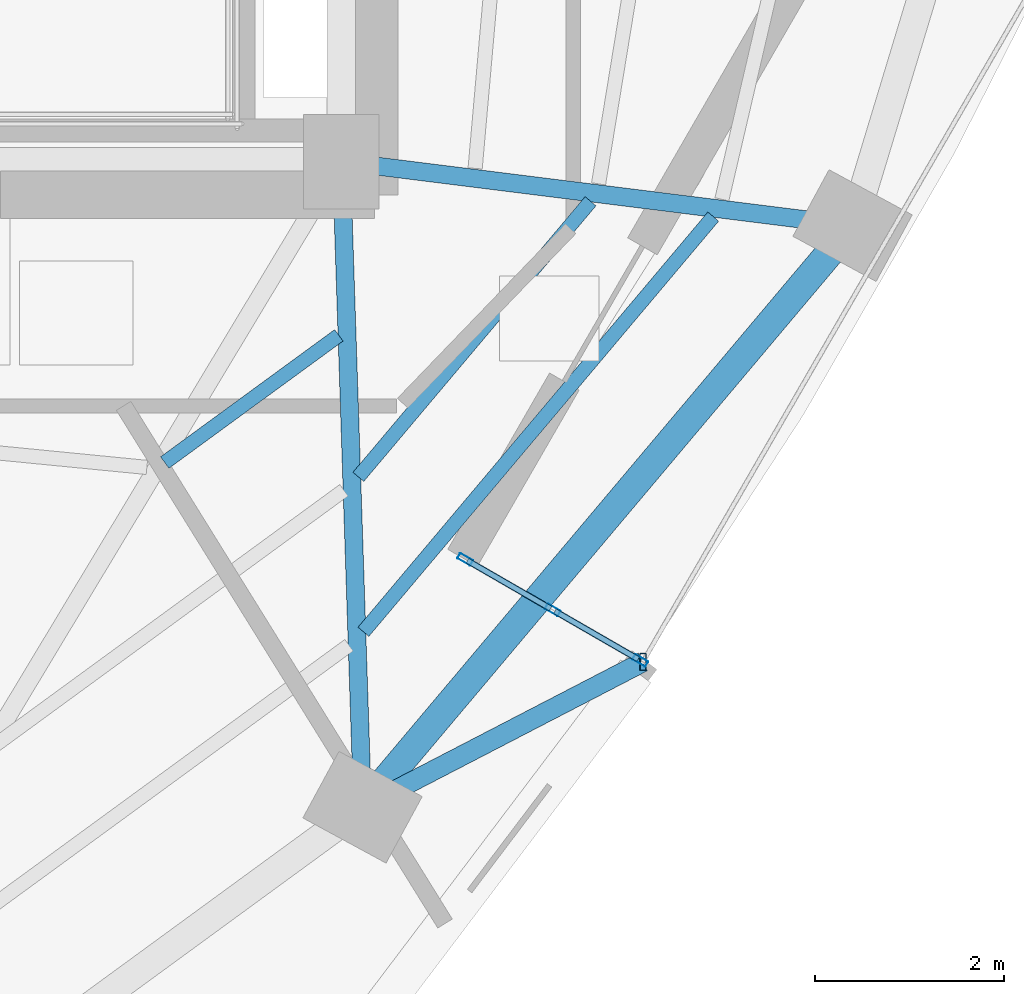
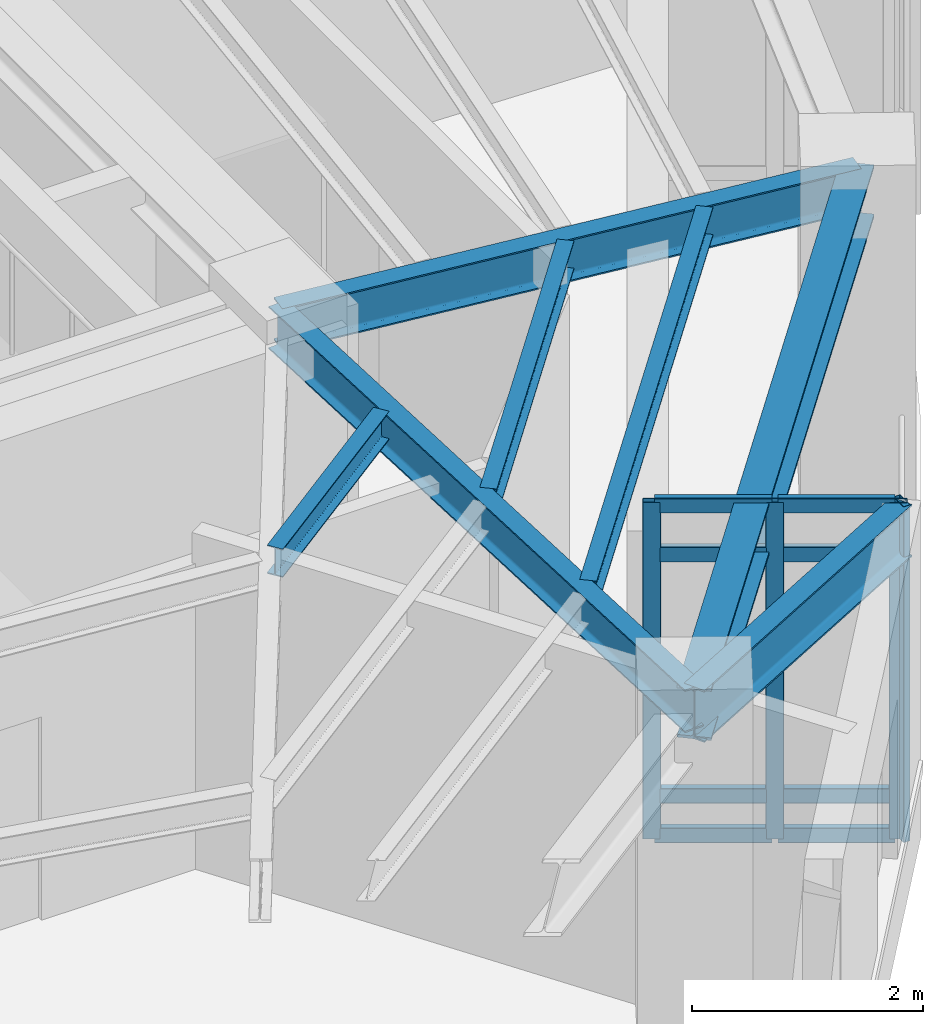
# One storey, part 2 of 12: 12 members, 7 beams, 1 element without a shape of its own.
"""IFC4 building model written with IfcOpenShell, lengths in metres."""

from ifc_helpers import new_model, si_unit, direction, frame, origin, origin_2d, place, context, subcontext, project, spatial, hollow_rectangle, i_section, extrude, material, layer, layer_set, material_profile, profile_set, type_object, element, aggregate, save


model = new_model("IFC4")

# Units and contexts
model_context = context("Model", 3, precision=1e-05, world=origin(), true_north=direction((0.0, 1.0)))
body_context = subcontext(model_context, "Body", "Model", "MODEL_VIEW")
ifc_project = project(units=[si_unit("LENGTHUNIT", "METRE"), si_unit("AREAUNIT", "SQUARE_METRE"), si_unit("VOLUMEUNIT", "CUBIC_METRE"), si_unit("PLANEANGLEUNIT", "RADIAN"), si_unit("MASSUNIT", "GRAM", prefix="KILO")], contexts=[model_context])

# Site, building, storey
site_placement = place(None, origin())
site = spatial("IfcSite", under=ifc_project, at=site_placement, CompositionType="ELEMENT")
building_placement = place(site_placement, origin())
building = spatial("IfcBuilding", under=site, at=building_placement, Name="Ndelora Gate Hotel", CompositionType="ELEMENT")
storey_placement = place(building_placement, frame((0.0, 0.0, 209.35009765625)))
storey = spatial("IfcBuildingStorey", under=building, at=storey_placement, Name="L52", CompositionType="ELEMENT", Elevation=209.35009765625)

# Beams
ifc_material_1 = material(Name="Steel S355", Category="steel")
ifc_material_profile_1 = material_profile(ifc_material_1, i_section(OverallWidth=0.14990234375, OverallDepth=0.300048828125, WebThickness=0.007080078125, FlangeThickness=0.0107421875, FilletRadius=0.014892578125, at=origin_2d()), Name="IPE 300")
ifc_profile_set_1 = profile_set([ifc_material_profile_1], Name="Steel S355")
beam_type_1 = type_object("IfcBeamType", Name="BM-JST-300", PredefinedType="JOIST", material=ifc_profile_set_1)
beam_1_placement = place(storey_placement, frame((6.134521484375, -9.77880859375, 3.39990234375), z_axis=(0.80739897839, 0.590005838696, 0.0), x_axis=(-0.590005838696, 0.80739897839, 0.0)))
element("IfcBeam", 1, at=beam_1_placement, inside=storey, type_object=beam_type_1, Name="L52 Secondary Composite Floor Joist IN-5", PredefinedType="JOIST", context=body_context, shape_type="SweptSolid", body=[
    extrude(i_section(OverallWidth=0.14990234375, OverallDepth=0.300048828125, WebThickness=0.007080078125, FlangeThickness=0.0107421875, FilletRadius=0.014892578125, at=origin_2d()), origin(), (0.0, 0.0, 1.0), 2.277587890625),
])
beam_2_placement = place(storey_placement, frame((8.1796875, -9.9296875, 3.39990234375), z_axis=(0.644319387893, 0.764756514444, 0.0), x_axis=(-0.764756514444, 0.644319387893, 0.0)))
element("IfcBeam", 2, at=beam_2_placement, inside=storey, type_object=beam_type_1, Name="L52 Secondary Composite Floor Joist MID-6", PredefinedType="JOIST", context=body_context, shape_type="SweptSolid", body=[
    extrude(i_section(OverallWidth=0.14990234375, OverallDepth=0.300048828125, WebThickness=0.007080078125, FlangeThickness=0.0107421875, FilletRadius=0.014892578125, at=origin_2d()), origin(), (0.0, 0.0, 1.0), 3.806884765625),
])
beam_3_placement = place(storey_placement, frame((8.2333984375, -11.56640625, 3.39990234375), z_axis=(0.644324492463, 0.764752213735, 0.0), x_axis=(-0.764752213735, 0.644324492463, 0.0)))
element("IfcBeam", 3, at=beam_3_placement, inside=storey, type_object=beam_type_1, Name="L52 Secondary Composite Floor Joist OUT-6", PredefinedType="JOIST", context=body_context, shape_type="SweptSolid", body=[
    extrude(i_section(OverallWidth=0.14990234375, OverallDepth=0.300048828125, WebThickness=0.007080078125, FlangeThickness=0.0107421875, FilletRadius=0.014892578125, at=origin_2d()), origin(), (0.0, 0.0, 1.0), 5.735107421875),
])
ifc_material_profile_2 = material_profile(ifc_material_1, i_section(OverallWidth=0.18994140625, OverallDepth=0.449951171875, WebThickness=0.009521484375, FlangeThickness=0.0146484375, FilletRadius=0.02099609375, at=origin_2d()), Name="IPE 450")
ifc_profile_set_2 = profile_set([ifc_material_profile_2], Name="Steel S355")
beam_type_2 = type_object("IfcBeamType", Name="BM-RAD-450", PredefinedType="BEAM", material=ifc_profile_set_2)
beam_4_placement = place(storey_placement, frame((8.0, -6.60009765625, 3.324951171875), z_axis=(0.032809705109, -0.999461616697, 0.0), x_axis=(0.999461616697, 0.032809705109, 0.0)))
element("IfcBeam", 4, at=beam_4_placement, inside=storey, type_object=beam_type_2, Name="L52 Radial Floor Girder 6", PredefinedType="BEAM", context=body_context, shape_type="SweptSolid", body=[
    extrude(i_section(OverallWidth=0.18994140625, OverallDepth=0.449951171875, WebThickness=0.009521484375, FlangeThickness=0.0146484375, FilletRadius=0.02099609375, at=origin_2d()), origin(), (0.0, 0.0, 1.0), 6.823486328125),
])
beam_5_placement = place(storey_placement, frame((8.0, -6.60009765625, 3.324951171875), z_axis=(0.992266830725, -0.124123070552, 0.0), x_axis=(0.124123070552, 0.992266830725, 0.0)))
element("IfcBeam", 5, at=beam_5_placement, inside=storey, type_object=beam_type_2, Name="L52 Radial Floor Girder 7", PredefinedType="BEAM", context=body_context, shape_type="SweptSolid", body=[
    extrude(i_section(OverallWidth=0.18994140625, OverallDepth=0.449951171875, WebThickness=0.009521484375, FlangeThickness=0.0146484375, FilletRadius=0.02099609375, at=origin_2d()), origin(), (0.0, 0.0, 1.0), 5.4423828125),
])
ifc_material_profile_3 = material_profile(ifc_material_1, i_section(OverallWidth=0.2099609375, OverallDepth=0.550048828125, WebThickness=0.010986328125, FlangeThickness=0.01708984375, FilletRadius=0.02392578125, at=origin_2d()), Name="IPE 550")
ifc_profile_set_3 = profile_set([ifc_material_profile_3], Name="Steel S355")
beam_type_3 = type_object("IfcBeamType", Name="BM-RAD-550", PredefinedType="BEAM", material=ifc_profile_set_3)
beam_6_placement = place(storey_placement, frame((8.223876953125, -13.419921875, 3.27490234375), z_axis=(0.88789405856, 0.4600479766, 0.0), x_axis=(-0.4600479766, 0.88789405856, 0.0)))
element("IfcBeam", 6, at=beam_6_placement, inside=storey, type_object=beam_type_3, Name="L52 Sky-Garden Loggia Column Bracket 1", PredefinedType="BEAM", context=body_context, shape_type="SweptSolid", body=[
    extrude(i_section(OverallWidth=0.2099609375, OverallDepth=0.550048828125, WebThickness=0.010986328125, FlangeThickness=0.01708984375, FilletRadius=0.02392578125, at=origin_2d()), origin(), (0.0, 0.0, 1.0), 3.3359375),
])
ifc_material_profile_4 = material_profile(ifc_material_1, i_section(OverallWidth=0.300048828125, OverallDepth=0.550048828125, WebThickness=0.014892578125, FlangeThickness=0.029052734375, FilletRadius=0.027099609375, at=origin_2d()), Name="HEB 550")
ifc_profile_set_4 = profile_set([ifc_material_profile_4], Name="Steel S355")
beam_type_4 = type_object("IfcBeamType", Name="BM-RING-550", PredefinedType="SPANDREL", material=ifc_profile_set_4)
beam_7_placement = place(storey_placement, frame((8.223876953125, -13.419921875, 3.27490234375), z_axis=(0.644308845181, 0.764765396721, 0.0), x_axis=(-0.764765396721, 0.644308845181, 0.0)))
element("IfcBeam", 7, at=beam_7_placement, inside=storey, type_object=beam_type_4, Name="L52 Perimeter Spandrel Girder 6", PredefinedType="SPANDREL", context=body_context, shape_type="SweptSolid", body=[
    extrude(i_section(OverallWidth=0.300048828125, OverallDepth=0.550048828125, WebThickness=0.014892578125, FlangeThickness=0.029052734375, FilletRadius=0.027099609375, at=origin_2d()), origin(), (0.0, 0.0, 1.0), 8.0341796875),
])

# Curtain wall, members
ifc_material_2 = material(Name="Bronze Anodised Unitised Aluminium and Low-E Glass", Category="aluminium")
ifc_layer = layer(ifc_material_2, 0.199951171875)
ifc_layer_set = layer_set([ifc_layer], Name="Bronze Anodised Unitised Aluminium and Low-E Glass")
curtain_wall_type = type_object("IfcCurtainWallType", Name="CW-SYS-3", PredefinedType="NOTDEFINED", material=ifc_layer_set)
curtain_wall_placement = place(storey_placement, origin())
curtain_wall = element("IfcCurtainWall", 8, at=curtain_wall_placement, inside=storey, type_object=curtain_wall_type, Name="L52 Sky-Garden Loggia Side Curtain Wall CW3-1", PredefinedType="NOTDEFINED")
ifc_material_3 = material(Name="Bronze Anodised Aluminium 6063-T6", Category="aluminium")
ifc_material_profile_5 = material_profile(ifc_material_3, hollow_rectangle(XDim=0.06494140625, YDim=0.159912109375, WallThickness=0.00390625, InnerFilletRadius=0.00390625, OuterFilletRadius=0.008056640625, at=origin_2d()), Name="ALU 160x65x4")
ifc_profile_set_5 = profile_set([ifc_material_profile_5], Name="Bronze Anodised Aluminium 6063-T6")
member_type_1 = type_object("IfcMemberType", Name="MB-CW-MUL150", PredefinedType="MULLION", material=ifc_profile_set_5)
member_1_placement = place(storey_placement, frame((9.308837890625, -10.801513671875, -0.004150390625), z_axis=(0.0, 0.0, 1.0), x_axis=(0.499991317892, 0.866030416344, 0.0)))
member_1 = element("IfcMember", 9, at=member_1_placement, type_object=member_type_1, Name="CW3 mullion 1", PredefinedType="MULLION", context=body_context, shape_type="SweptSolid", body=[
    extrude(hollow_rectangle(XDim=0.06494140625, YDim=0.159912109375, WallThickness=0.00390625, InnerFilletRadius=0.00390625, OuterFilletRadius=0.008056640625, at=origin_2d()), origin(), (0.0, 0.0, 1.0), 3.55810546875),
])
member_2_placement = place(storey_placement, frame((10.233154296875, -11.335205078125, -0.004150390625), z_axis=(0.0, 0.0, 1.0), x_axis=(0.499991317892, 0.866030416344, 0.0)))
member_2 = element("IfcMember", 10, at=member_2_placement, type_object=member_type_1, Name="CW3 mullion 2", PredefinedType="MULLION", context=body_context, shape_type="SweptSolid", body=[
    extrude(hollow_rectangle(XDim=0.06494140625, YDim=0.159912109375, WallThickness=0.00390625, InnerFilletRadius=0.00390625, OuterFilletRadius=0.008056640625, at=origin_2d()), origin(), (0.0, 0.0, 1.0), 3.55810546875),
])
member_3_placement = place(storey_placement, frame((11.15771484375, -11.869140625, -0.004150390625), z_axis=(0.0, 0.0, 1.0), x_axis=(0.499991317892, 0.866030416344, 0.0)))
member_3 = element("IfcMember", 11, at=member_3_placement, type_object=member_type_1, Name="CW3 mullion 3", PredefinedType="MULLION", context=body_context, shape_type="SweptSolid", body=[
    extrude(hollow_rectangle(XDim=0.06494140625, YDim=0.159912109375, WallThickness=0.00390625, InnerFilletRadius=0.00390625, OuterFilletRadius=0.008056640625, at=origin_2d()), origin(), (0.0, 0.0, 1.0), 3.55810546875),
])
ifc_material_profile_6 = material_profile(ifc_material_3, hollow_rectangle(XDim=0.070068359375, YDim=0.179931640625, WallThickness=0.0048828125, InnerFilletRadius=0.0048828125, OuterFilletRadius=0.010009765625, at=origin_2d()), Name="ALU 180x70x5")
ifc_profile_set_6 = profile_set([ifc_material_profile_6], Name="Bronze Anodised Aluminium 6063-T6")
member_type_2 = type_object("IfcMemberType", Name="MB-CW-MUL180", PredefinedType="MULLION", material=ifc_profile_set_6)
member_4_placement = place(storey_placement, frame((11.185791015625, -11.88525390625, 0.0), z_axis=(0.0, 0.0, 1.0), x_axis=(1.0, 0.0, 0.0)))
member_4 = element("IfcMember", 12, at=member_4_placement, type_object=member_type_2, Name="L52 Sky-Garden Loggia Corner Mullion Post 1", PredefinedType="MULLION", context=body_context, shape_type="SweptSolid", body=[
    extrude(hollow_rectangle(XDim=0.070068359375, YDim=0.179931640625, WallThickness=0.0048828125, InnerFilletRadius=0.0048828125, OuterFilletRadius=0.010009765625, at=origin_2d()), origin(), (0.0, 0.0, 1.0), 3.5498046875),
])
ifc_material_profile_7 = material_profile(ifc_material_3, hollow_rectangle(XDim=0.06494140625, YDim=0.159912109375, WallThickness=0.00390625, InnerFilletRadius=0.00390625, OuterFilletRadius=0.008056640625, at=origin_2d()), Name="ALU 160x65x4")
ifc_profile_set_7 = profile_set([ifc_material_profile_7], Name="Bronze Anodised Aluminium 6063-T6")
member_type_3 = type_object("IfcMemberType", Name="MB-CW-TRN150", PredefinedType="USERDEFINED", material=ifc_profile_set_7)
member_5_placement = place(storey_placement, frame((9.331787109375, -10.814697265625, 0.032470703125), z_axis=(0.865953096906, -0.50012521828, 0.0), x_axis=(0.50012521828, 0.865953096906, 0.0)))
member_5 = element("IfcMember", 13, at=member_5_placement, type_object=member_type_3, Name="CW3 transom 1.1", ObjectType="TRANSOM", PredefinedType="USERDEFINED", context=body_context, shape_type="SweptSolid", body=[
    extrude(hollow_rectangle(XDim=0.06494140625, YDim=0.159912109375, WallThickness=0.00390625, InnerFilletRadius=0.00390625, OuterFilletRadius=0.008056640625, at=origin_2d()), origin(), (0.0, 0.0, 1.0), 1.014404296875),
])
member_6_placement = place(storey_placement, frame((9.331787109375, -10.814697265625, 0.449951171875), z_axis=(0.865953096906, -0.50012521828, 0.0), x_axis=(0.50012521828, 0.865953096906, 0.0)))
member_6 = element("IfcMember", 14, at=member_6_placement, type_object=member_type_3, Name="CW3 transom 1.2", ObjectType="TRANSOM", PredefinedType="USERDEFINED", context=body_context, shape_type="SweptSolid", body=[
    extrude(hollow_rectangle(XDim=0.06494140625, YDim=0.159912109375, WallThickness=0.00390625, InnerFilletRadius=0.00390625, OuterFilletRadius=0.008056640625, at=origin_2d()), origin(), (0.0, 0.0, 1.0), 1.014404296875),
])
member_7_placement = place(storey_placement, frame((9.331787109375, -10.814697265625, 3.0), z_axis=(0.865953096906, -0.50012521828, 0.0), x_axis=(0.50012521828, 0.865953096906, 0.0)))
member_7 = element("IfcMember", 15, at=member_7_placement, type_object=member_type_3, Name="CW3 transom 1.3", ObjectType="TRANSOM", PredefinedType="USERDEFINED", context=body_context, shape_type="SweptSolid", body=[
    extrude(hollow_rectangle(XDim=0.06494140625, YDim=0.159912109375, WallThickness=0.00390625, InnerFilletRadius=0.00390625, OuterFilletRadius=0.008056640625, at=origin_2d()), origin(), (0.0, 0.0, 1.0), 1.014404296875),
])
member_8_placement = place(storey_placement, frame((9.331787109375, -10.814697265625, 3.517333984375), z_axis=(0.865953096906, -0.50012521828, 0.0), x_axis=(0.50012521828, 0.865953096906, 0.0)))
member_8 = element("IfcMember", 16, at=member_8_placement, type_object=member_type_3, Name="CW3 transom 1.4", ObjectType="TRANSOM", PredefinedType="USERDEFINED", context=body_context, shape_type="SweptSolid", body=[
    extrude(hollow_rectangle(XDim=0.06494140625, YDim=0.159912109375, WallThickness=0.00390625, InnerFilletRadius=0.00390625, OuterFilletRadius=0.008056640625, at=origin_2d()), origin(), (0.0, 0.0, 1.0), 1.014404296875),
])
member_9_placement = place(storey_placement, frame((10.256103515625, -11.3486328125, 0.032470703125), z_axis=(0.866117468088, -0.499840506035, 0.0), x_axis=(0.499840506035, 0.866117468088, 0.0)))
member_9 = element("IfcMember", 17, at=member_9_placement, type_object=member_type_3, Name="CW3 transom 2.1", ObjectType="TRANSOM", PredefinedType="USERDEFINED", context=body_context, shape_type="SweptSolid", body=[
    extrude(hollow_rectangle(XDim=0.06494140625, YDim=0.159912109375, WallThickness=0.00390625, InnerFilletRadius=0.00390625, OuterFilletRadius=0.008056640625, at=origin_2d()), origin(), (0.0, 0.0, 1.0), 1.014404296875),
])
member_10_placement = place(storey_placement, frame((10.256103515625, -11.3486328125, 0.449951171875), z_axis=(0.866117468088, -0.499840506035, 0.0), x_axis=(0.499840506035, 0.866117468088, 0.0)))
member_10 = element("IfcMember", 18, at=member_10_placement, type_object=member_type_3, Name="CW3 transom 2.2", ObjectType="TRANSOM", PredefinedType="USERDEFINED", context=body_context, shape_type="SweptSolid", body=[
    extrude(hollow_rectangle(XDim=0.06494140625, YDim=0.159912109375, WallThickness=0.00390625, InnerFilletRadius=0.00390625, OuterFilletRadius=0.008056640625, at=origin_2d()), origin(), (0.0, 0.0, 1.0), 1.014404296875),
])
member_11_placement = place(storey_placement, frame((10.256103515625, -11.3486328125, 3.0), z_axis=(0.866117468088, -0.499840506035, 0.0), x_axis=(0.499840506035, 0.866117468088, 0.0)))
member_11 = element("IfcMember", 19, at=member_11_placement, type_object=member_type_3, Name="CW3 transom 2.3", ObjectType="TRANSOM", PredefinedType="USERDEFINED", context=body_context, shape_type="SweptSolid", body=[
    extrude(hollow_rectangle(XDim=0.06494140625, YDim=0.159912109375, WallThickness=0.00390625, InnerFilletRadius=0.00390625, OuterFilletRadius=0.008056640625, at=origin_2d()), origin(), (0.0, 0.0, 1.0), 1.014404296875),
])
member_12_placement = place(storey_placement, frame((10.256103515625, -11.3486328125, 3.517333984375), z_axis=(0.866117468088, -0.499840506035, 0.0), x_axis=(0.499840506035, 0.866117468088, 0.0)))
member_12 = element("IfcMember", 20, at=member_12_placement, type_object=member_type_3, Name="CW3 transom 2.4", ObjectType="TRANSOM", PredefinedType="USERDEFINED", context=body_context, shape_type="SweptSolid", body=[
    extrude(hollow_rectangle(XDim=0.06494140625, YDim=0.159912109375, WallThickness=0.00390625, InnerFilletRadius=0.00390625, OuterFilletRadius=0.008056640625, at=origin_2d()), origin(), (0.0, 0.0, 1.0), 1.014404296875),
])
aggregate(curtain_wall, [member_1, member_2, member_3, member_5, member_6, member_7, member_8, member_9, member_10, member_11, member_12, member_4])

save(model, "model.ifc")
